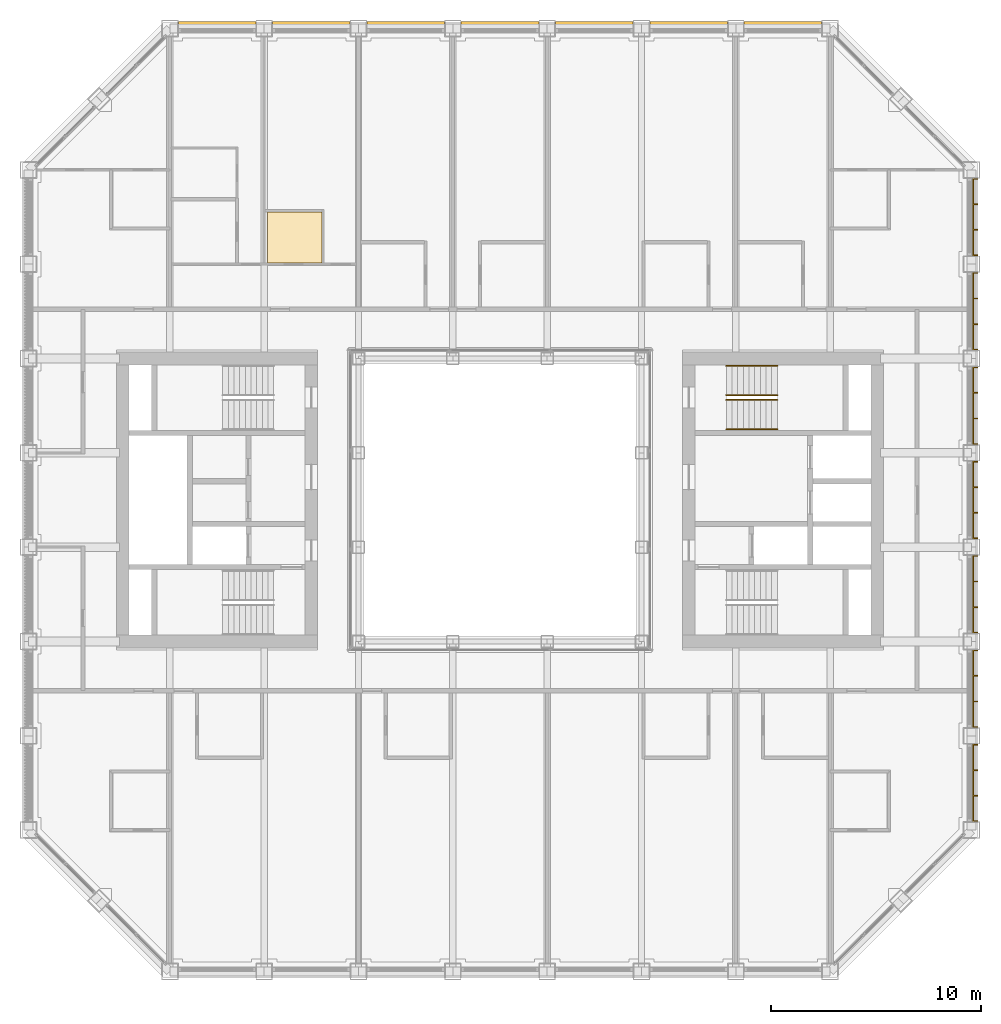
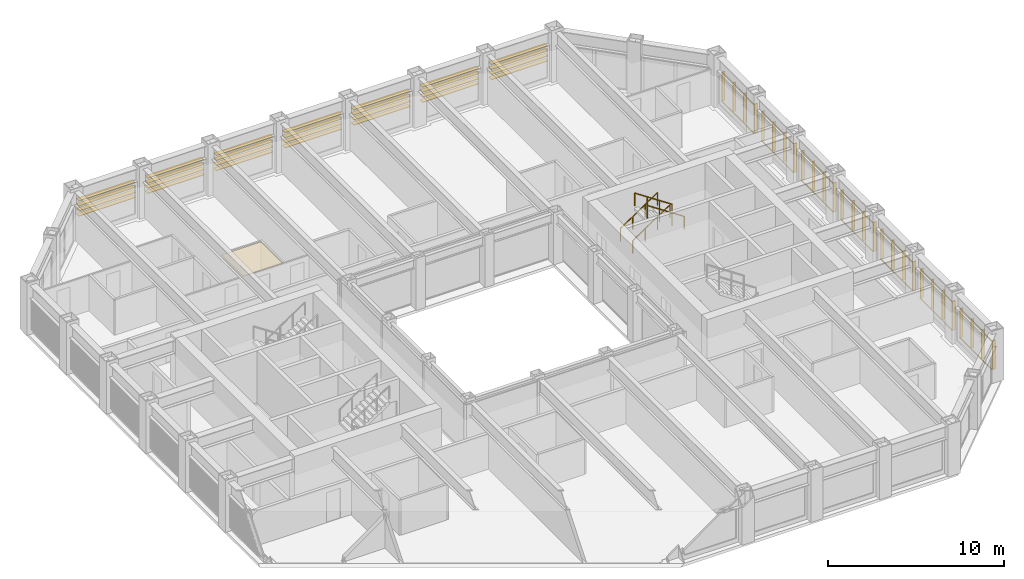
# One storey, part 17 of 17: 4 railings, 2 shading devices, 1 covering.
"""IFC4 building model written with IfcOpenShell, lengths in metres."""

from ifc_helpers import new_model, si_unit, direction, frame, origin, origin_2d, place, context, subcontext, project, spatial, line, indexed_curve, rectangle, circle, outline, extrude, material, layer, layer_set, type_object, element, save


model = new_model("IFC4")

# Units and contexts
model_context = context("Model", 3, precision=1e-05, world=origin(), true_north=direction((0.0, 1.0)))
body_context = subcontext(model_context, "Body", "Model", "MODEL_VIEW")
ifc_project = project(units=[si_unit("LENGTHUNIT", "METRE"), si_unit("AREAUNIT", "SQUARE_METRE"), si_unit("VOLUMEUNIT", "CUBIC_METRE"), si_unit("PLANEANGLEUNIT", "RADIAN"), si_unit("MASSUNIT", "GRAM", prefix="KILO")], contexts=[model_context])

# Site, building, storey
site_placement = place(None, origin())
site = spatial("IfcSite", under=ifc_project, at=site_placement, CompositionType="ELEMENT")
building_placement = place(site_placement, origin())
building = spatial("IfcBuilding", under=site, at=building_placement, Name="Msasa Ring Tower", CompositionType="ELEMENT")
storey_placement = place(building_placement, frame((0.0, 0.0, 172.39990234375)))
storey = spatial("IfcBuildingStorey", under=building, at=storey_placement, Name="L45", CompositionType="ELEMENT", Elevation=172.39990234375)

# Shading device
ifc_material_1 = material(Name="Extruded terracotta on aluminium carriers", Category="masonry")
shading_device_type_1 = type_object("IfcShadingDeviceType", Name="BS2 TERRACOTTA FIN SCREEN 40x200 AT 1350", PredefinedType="USERDEFINED", material=ifc_material_1)
shading_device_1_placement = place(storey_placement, origin())
element("IfcShadingDevice", 1, at=shading_device_1_placement, inside=storey, type_object=shading_device_type_1, Name="Terracotta fin screen E L45", ObjectType="BAGUETTE", PredefinedType="USERDEFINED", context=body_context, shape_type="SweptSolid", body=[
    extrude(rectangle(XDim=0.06005859375, YDim=0.0400390625, at=origin_2d()), frame((22.580078125, -15.35009765625, 0.330078125), z_axis=(0.0, 1.0, 0.0), x_axis=(0.0, 0.0, 1.0)), (0.0, 0.0, 1.0), 3.699951171875),
    extrude(rectangle(XDim=0.06005859375, YDim=0.0400390625, at=origin_2d()), frame((22.580078125, -15.35009765625, 2.299072265625), z_axis=(0.0, 1.0, 0.0), x_axis=(0.0, 0.0, 1.0)), (0.0, 0.0, 1.0), 3.699951171875),
    extrude(rectangle(XDim=0.0400390625, YDim=0.199951171875, at=origin_2d()), frame((22.695068359375, -15.330078125, 0.300048828125), z_axis=(0.0, 0.0, 1.0), x_axis=(0.0, 1.0, 0.0)), (0.0, 0.0, 1.0), 2.029052734375),
    extrude(rectangle(XDim=0.0400390625, YDim=0.199951171875, at=origin_2d()), frame((22.695068359375, -14.110107421875, 0.300048828125), z_axis=(0.0, 0.0, 1.0), x_axis=(0.0, 1.0, 0.0)), (0.0, 0.0, 1.0), 2.029052734375),
    extrude(rectangle(XDim=0.0400390625, YDim=0.199951171875, at=origin_2d()), frame((22.695068359375, -12.889892578125, 0.300048828125), z_axis=(0.0, 0.0, 1.0), x_axis=(0.0, 1.0, 0.0)), (0.0, 0.0, 1.0), 2.029052734375),
    extrude(rectangle(XDim=0.0400390625, YDim=0.199951171875, at=origin_2d()), frame((22.695068359375, -11.669921875, 0.300048828125), z_axis=(0.0, 0.0, 1.0), x_axis=(0.0, 1.0, 0.0)), (0.0, 0.0, 1.0), 2.029052734375),
    extrude(rectangle(XDim=0.06005859375, YDim=0.0400390625, at=origin_2d()), frame((22.580078125, -10.85009765625, 0.330078125), z_axis=(0.0, 1.0, 0.0), x_axis=(0.0, 0.0, 1.0)), (0.0, 0.0, 1.0), 3.699951171875),
    extrude(rectangle(XDim=0.06005859375, YDim=0.0400390625, at=origin_2d()), frame((22.580078125, -10.85009765625, 2.299072265625), z_axis=(0.0, 1.0, 0.0), x_axis=(0.0, 0.0, 1.0)), (0.0, 0.0, 1.0), 3.699951171875),
    extrude(rectangle(XDim=0.0400390625, YDim=0.199951171875, at=origin_2d()), frame((22.695068359375, -10.830078125, 0.300048828125), z_axis=(0.0, 0.0, 1.0), x_axis=(0.0, 1.0, 0.0)), (0.0, 0.0, 1.0), 2.029052734375),
    extrude(rectangle(XDim=0.0400390625, YDim=0.199951171875, at=origin_2d()), frame((22.695068359375, -9.610107421875, 0.300048828125), z_axis=(0.0, 0.0, 1.0), x_axis=(0.0, 1.0, 0.0)), (0.0, 0.0, 1.0), 2.029052734375),
    extrude(rectangle(XDim=0.0400390625, YDim=0.199951171875, at=origin_2d()), frame((22.695068359375, -8.389892578125, 0.300048828125), z_axis=(0.0, 0.0, 1.0), x_axis=(0.0, 1.0, 0.0)), (0.0, 0.0, 1.0), 2.029052734375),
    extrude(rectangle(XDim=0.0400390625, YDim=0.199951171875, at=origin_2d()), frame((22.695068359375, -7.169921875, 0.300048828125), z_axis=(0.0, 0.0, 1.0), x_axis=(0.0, 1.0, 0.0)), (0.0, 0.0, 1.0), 2.029052734375),
    extrude(rectangle(XDim=0.06005859375, YDim=0.0400390625, at=origin_2d()), frame((22.580078125, -6.35009765625, 0.330078125), z_axis=(0.0, 1.0, 0.0), x_axis=(0.0, 0.0, 1.0)), (0.0, 0.0, 1.0), 3.699951171875),
    extrude(rectangle(XDim=0.06005859375, YDim=0.0400390625, at=origin_2d()), frame((22.580078125, -6.35009765625, 2.299072265625), z_axis=(0.0, 1.0, 0.0), x_axis=(0.0, 0.0, 1.0)), (0.0, 0.0, 1.0), 3.699951171875),
    extrude(rectangle(XDim=0.0400390625, YDim=0.199951171875, at=origin_2d()), frame((22.695068359375, -6.330078125, 0.300048828125), z_axis=(0.0, 0.0, 1.0), x_axis=(0.0, 1.0, 0.0)), (0.0, 0.0, 1.0), 2.029052734375),
    extrude(rectangle(XDim=0.0400390625, YDim=0.199951171875, at=origin_2d()), frame((22.695068359375, -5.110107421875, 0.300048828125), z_axis=(0.0, 0.0, 1.0), x_axis=(0.0, 1.0, 0.0)), (0.0, 0.0, 1.0), 2.029052734375),
    extrude(rectangle(XDim=0.0400390625, YDim=0.199951171875, at=origin_2d()), frame((22.695068359375, -3.889892578125, 0.300048828125), z_axis=(0.0, 0.0, 1.0), x_axis=(0.0, 1.0, 0.0)), (0.0, 0.0, 1.0), 2.029052734375),
    extrude(rectangle(XDim=0.0400390625, YDim=0.199951171875, at=origin_2d()), frame((22.695068359375, -2.669921875, 0.300048828125), z_axis=(0.0, 0.0, 1.0), x_axis=(0.0, 1.0, 0.0)), (0.0, 0.0, 1.0), 2.029052734375),
    extrude(rectangle(XDim=0.06005859375, YDim=0.0400390625, at=origin_2d()), frame((22.580078125, -1.85009765625, 0.330078125), z_axis=(0.0, 1.0, 0.0), x_axis=(0.0, 0.0, 1.0)), (0.0, 0.0, 1.0), 3.699951171875),
    extrude(rectangle(XDim=0.06005859375, YDim=0.0400390625, at=origin_2d()), frame((22.580078125, -1.85009765625, 2.299072265625), z_axis=(0.0, 1.0, 0.0), x_axis=(0.0, 0.0, 1.0)), (0.0, 0.0, 1.0), 3.699951171875),
    extrude(rectangle(XDim=0.0400390625, YDim=0.199951171875, at=origin_2d()), frame((22.695068359375, -1.830078125, 0.300048828125), z_axis=(0.0, 0.0, 1.0), x_axis=(0.0, 1.0, 0.0)), (0.0, 0.0, 1.0), 2.029052734375),
    extrude(rectangle(XDim=0.0400390625, YDim=0.199951171875, at=origin_2d()), frame((22.695068359375, -0.610107421875, 0.300048828125), z_axis=(0.0, 0.0, 1.0), x_axis=(0.0, 1.0, 0.0)), (0.0, 0.0, 1.0), 2.029052734375),
    extrude(rectangle(XDim=0.0400390625, YDim=0.199951171875, at=origin_2d()), frame((22.695068359375, 0.610107421875, 0.300048828125), z_axis=(0.0, 0.0, 1.0), x_axis=(0.0, 1.0, 0.0)), (0.0, 0.0, 1.0), 2.029052734375),
    extrude(rectangle(XDim=0.0400390625, YDim=0.199951171875, at=origin_2d()), frame((22.695068359375, 1.830078125, 0.300048828125), z_axis=(0.0, 0.0, 1.0), x_axis=(0.0, 1.0, 0.0)), (0.0, 0.0, 1.0), 2.029052734375),
    extrude(rectangle(XDim=0.06005859375, YDim=0.0400390625, at=origin_2d()), frame((22.580078125, 2.64990234375, 0.330078125), z_axis=(0.0, 1.0, 0.0), x_axis=(0.0, 0.0, 1.0)), (0.0, 0.0, 1.0), 3.699951171875),
    extrude(rectangle(XDim=0.06005859375, YDim=0.0400390625, at=origin_2d()), frame((22.580078125, 2.64990234375, 2.299072265625), z_axis=(0.0, 1.0, 0.0), x_axis=(0.0, 0.0, 1.0)), (0.0, 0.0, 1.0), 3.699951171875),
    extrude(rectangle(XDim=0.0400390625, YDim=0.199951171875, at=origin_2d()), frame((22.695068359375, 2.669921875, 0.300048828125), z_axis=(0.0, 0.0, 1.0), x_axis=(0.0, 1.0, 0.0)), (0.0, 0.0, 1.0), 2.029052734375),
    extrude(rectangle(XDim=0.0400390625, YDim=0.199951171875, at=origin_2d()), frame((22.695068359375, 3.889892578125, 0.300048828125), z_axis=(0.0, 0.0, 1.0), x_axis=(0.0, 1.0, 0.0)), (0.0, 0.0, 1.0), 2.029052734375),
    extrude(rectangle(XDim=0.0400390625, YDim=0.199951171875, at=origin_2d()), frame((22.695068359375, 5.110107421875, 0.300048828125), z_axis=(0.0, 0.0, 1.0), x_axis=(0.0, 1.0, 0.0)), (0.0, 0.0, 1.0), 2.029052734375),
    extrude(rectangle(XDim=0.0400390625, YDim=0.199951171875, at=origin_2d()), frame((22.695068359375, 6.330078125, 0.300048828125), z_axis=(0.0, 0.0, 1.0), x_axis=(0.0, 1.0, 0.0)), (0.0, 0.0, 1.0), 2.029052734375),
    extrude(rectangle(XDim=0.06005859375, YDim=0.0400390625, at=origin_2d()), frame((22.580078125, 7.14990234375, 0.330078125), z_axis=(0.0, 1.0, 0.0), x_axis=(0.0, 0.0, 1.0)), (0.0, 0.0, 1.0), 3.699951171875),
    extrude(rectangle(XDim=0.06005859375, YDim=0.0400390625, at=origin_2d()), frame((22.580078125, 7.14990234375, 2.299072265625), z_axis=(0.0, 1.0, 0.0), x_axis=(0.0, 0.0, 1.0)), (0.0, 0.0, 1.0), 3.699951171875),
    extrude(rectangle(XDim=0.0400390625, YDim=0.199951171875, at=origin_2d()), frame((22.695068359375, 7.169921875, 0.300048828125), z_axis=(0.0, 0.0, 1.0), x_axis=(0.0, 1.0, 0.0)), (0.0, 0.0, 1.0), 2.029052734375),
    extrude(rectangle(XDim=0.0400390625, YDim=0.199951171875, at=origin_2d()), frame((22.695068359375, 8.389892578125, 0.300048828125), z_axis=(0.0, 0.0, 1.0), x_axis=(0.0, 1.0, 0.0)), (0.0, 0.0, 1.0), 2.029052734375),
    extrude(rectangle(XDim=0.0400390625, YDim=0.199951171875, at=origin_2d()), frame((22.695068359375, 9.610107421875, 0.300048828125), z_axis=(0.0, 0.0, 1.0), x_axis=(0.0, 1.0, 0.0)), (0.0, 0.0, 1.0), 2.029052734375),
    extrude(rectangle(XDim=0.0400390625, YDim=0.199951171875, at=origin_2d()), frame((22.695068359375, 10.830078125, 0.300048828125), z_axis=(0.0, 0.0, 1.0), x_axis=(0.0, 1.0, 0.0)), (0.0, 0.0, 1.0), 2.029052734375),
    extrude(rectangle(XDim=0.06005859375, YDim=0.0400390625, at=origin_2d()), frame((22.580078125, 11.64990234375, 0.330078125), z_axis=(0.0, 1.0, 0.0), x_axis=(0.0, 0.0, 1.0)), (0.0, 0.0, 1.0), 3.699951171875),
    extrude(rectangle(XDim=0.06005859375, YDim=0.0400390625, at=origin_2d()), frame((22.580078125, 11.64990234375, 2.299072265625), z_axis=(0.0, 1.0, 0.0), x_axis=(0.0, 0.0, 1.0)), (0.0, 0.0, 1.0), 3.699951171875),
    extrude(rectangle(XDim=0.0400390625, YDim=0.199951171875, at=origin_2d()), frame((22.695068359375, 11.669921875, 0.300048828125), z_axis=(0.0, 0.0, 1.0), x_axis=(0.0, 1.0, 0.0)), (0.0, 0.0, 1.0), 2.029052734375),
    extrude(rectangle(XDim=0.0400390625, YDim=0.199951171875, at=origin_2d()), frame((22.695068359375, 12.889892578125, 0.300048828125), z_axis=(0.0, 0.0, 1.0), x_axis=(0.0, 1.0, 0.0)), (0.0, 0.0, 1.0), 2.029052734375),
    extrude(rectangle(XDim=0.0400390625, YDim=0.199951171875, at=origin_2d()), frame((22.695068359375, 14.110107421875, 0.300048828125), z_axis=(0.0, 0.0, 1.0), x_axis=(0.0, 1.0, 0.0)), (0.0, 0.0, 1.0), 2.029052734375),
    extrude(rectangle(XDim=0.0400390625, YDim=0.199951171875, at=origin_2d()), frame((22.695068359375, 15.330078125, 0.300048828125), z_axis=(0.0, 0.0, 1.0), x_axis=(0.0, 1.0, 0.0)), (0.0, 0.0, 1.0), 2.029052734375),
])

# Covering
ifc_material_2 = material(Name="Perforated aluminium ceiling pans on a steel grid", Category="steel")
ifc_layer = layer(ifc_material_2, 0.02490234375)
ifc_layer_set = layer_set([ifc_layer], Name="C4 PERFORATED METAL PAN CEILING 25")
covering_type = type_object("IfcCoveringType", Name="C4 PERFORATED METAL PAN CEILING 25", PredefinedType="CEILING", material=ifc_layer_set)
covering_placement = place(storey_placement, frame((0.0, 0.0, 2.400146484375)))
element("IfcCovering", 2, at=covering_placement, inside=storey, type_object=covering_type, Name="Perforated Metal Pan Ceiling 25 L45", PredefinedType="CEILING", context=body_context, shape_type="SweptSolid", body=[
    extrude(outline(indexed_curve([(-8.50048828125, 13.74951171875), (-8.50048828125, 11.300537109375), (-11.095703125, 11.300537109375), (-11.095703125, 13.74951171875)], segments=[line(1, 2, 3, 4, 1)], self_intersect=False)), origin(), (0.0, 0.0, 1.0), 0.02490234375),
])

# Railings
ifc_material_3 = material(Name="Stainless steel", Category="steel")
railing_type = type_object("IfcRailingType", Name="HR1 HANDRAIL 900", PredefinedType="HANDRAIL", material=ifc_material_3)
for number, where, name in (
    (3, (10.800048828125, 5.0, 0.18017578125), "Handrail stair SEB L45 1"),
    (4, (10.800048828125, 6.39990234375, 0.18017578125), "Handrail stair SEB L45 2"),
):
    element("IfcRailing", number, at=place(storey_placement, frame(where)), inside=storey, type_object=railing_type, Name=name, PredefinedType="HANDRAIL", context=body_context, shape_type="SweptSolid", body=[
        extrude(circle(Radius=0.02392578125, at=origin_2d()), frame((0.0, 0.0, 0.8759765625), z_axis=(0.832063155534, 0.0, 0.554680903946), x_axis=(0.0, 1.0, 0.0)), (0.0, 0.0, 1.0), 2.92041015625),
        extrude(circle(Radius=0.02099609375, at=origin_2d()), origin(), (0.0, 0.0, 1.0), 0.851806640625),
        extrude(circle(Radius=0.02099609375, at=origin_2d()), frame((0.81005859375, 0.0, 0.5400390625)), (0.0, 0.0, 1.0), 0.851806640625),
        extrude(circle(Radius=0.02099609375, at=origin_2d()), frame((1.619873046875, 0.0, 1.079833984375)), (0.0, 0.0, 1.0), 0.851806640625),
        extrude(circle(Radius=0.02099609375, at=origin_2d()), frame((2.429931640625, 0.0, 1.619873046875)), (0.0, 0.0, 1.0), 0.851806640625),
    ])
for number, where, name in (
    (5, (13.22998046875, 3.375, 1.97998046875), "Handrail stair SEB L45 3"),
    (6, (13.22998046875, 4.77490234375, 1.97998046875), "Handrail stair SEB L45 4"),
):
    element("IfcRailing", number, at=place(storey_placement, frame(where)), inside=storey, type_object=railing_type, Name=name, PredefinedType="HANDRAIL", context=body_context, shape_type="SweptSolid", body=[
        extrude(circle(Radius=0.02392578125, at=origin_2d()), frame((0.0, 0.0, 0.8759765625), z_axis=(-0.832024571796, 0.0, 0.554738778101), x_axis=(0.0, -1.0, 0.0)), (0.0, 0.0, 1.0), 2.92041015625),
        extrude(circle(Radius=0.02099609375, at=origin_2d()), origin(), (0.0, 0.0, 1.0), 0.851806640625),
        extrude(circle(Radius=0.02099609375, at=origin_2d()), frame((-0.81005859375, 0.0, 0.5400390625)), (0.0, 0.0, 1.0), 0.851806640625),
        extrude(circle(Radius=0.02099609375, at=origin_2d()), frame((-1.619873046875, 0.0, 1.080078125)), (0.0, 0.0, 1.0), 0.851806640625),
        extrude(circle(Radius=0.02099609375, at=origin_2d()), frame((-2.429931640625, 0.0, 1.6201171875)), (0.0, 0.0, 1.0), 0.851806640625),
    ])

# Shading device
ifc_material_4 = material(Name="Extruded terracotta blades", Category="masonry")
shading_device_type_2 = type_object("IfcShadingDeviceType", Name="SS1 TERRACOTTA SUNSHADE 4 BLADES 300x40 AT 350", PredefinedType="USERDEFINED", material=ifc_material_4)
shading_device_2_placement = place(storey_placement, origin())
element("IfcShadingDevice", 7, at=shading_device_2_placement, inside=storey, type_object=shading_device_type_2, Name="Terracotta sunshade N L45", ObjectType="SUNSHADE", PredefinedType="USERDEFINED", context=body_context, shape_type="SweptSolid", body=[
    extrude(rectangle(XDim=0.0400390625, YDim=0.300048828125, at=origin_2d()), frame((-15.35009765625, 22.679931640625, 2.30908203125), z_axis=(1.0, 0.0, 0.0), x_axis=(0.0, 0.0, 1.0)), (0.0, 0.0, 1.0), 3.699951171875),
    extrude(rectangle(XDim=0.0400390625, YDim=0.300048828125, at=origin_2d()), frame((-15.35009765625, 22.679931640625, 1.958984375), z_axis=(1.0, 0.0, 0.0), x_axis=(0.0, 0.0, 1.0)), (0.0, 0.0, 1.0), 3.699951171875),
    extrude(rectangle(XDim=0.0400390625, YDim=0.300048828125, at=origin_2d()), frame((-15.35009765625, 22.679931640625, 1.609130859375), z_axis=(1.0, 0.0, 0.0), x_axis=(0.0, 0.0, 1.0)), (0.0, 0.0, 1.0), 3.699951171875),
    extrude(rectangle(XDim=0.0400390625, YDim=0.300048828125, at=origin_2d()), frame((-15.35009765625, 22.679931640625, 1.259033203125), z_axis=(1.0, 0.0, 0.0), x_axis=(0.0, 0.0, 1.0)), (0.0, 0.0, 1.0), 3.699951171875),
    extrude(rectangle(XDim=0.0400390625, YDim=0.300048828125, at=origin_2d()), frame((-10.85009765625, 22.679931640625, 2.30908203125), z_axis=(1.0, 0.0, 0.0), x_axis=(0.0, 0.0, 1.0)), (0.0, 0.0, 1.0), 3.699951171875),
    extrude(rectangle(XDim=0.0400390625, YDim=0.300048828125, at=origin_2d()), frame((-10.85009765625, 22.679931640625, 1.958984375), z_axis=(1.0, 0.0, 0.0), x_axis=(0.0, 0.0, 1.0)), (0.0, 0.0, 1.0), 3.699951171875),
    extrude(rectangle(XDim=0.0400390625, YDim=0.300048828125, at=origin_2d()), frame((-10.85009765625, 22.679931640625, 1.609130859375), z_axis=(1.0, 0.0, 0.0), x_axis=(0.0, 0.0, 1.0)), (0.0, 0.0, 1.0), 3.699951171875),
    extrude(rectangle(XDim=0.0400390625, YDim=0.300048828125, at=origin_2d()), frame((-10.85009765625, 22.679931640625, 1.259033203125), z_axis=(1.0, 0.0, 0.0), x_axis=(0.0, 0.0, 1.0)), (0.0, 0.0, 1.0), 3.699951171875),
    extrude(rectangle(XDim=0.0400390625, YDim=0.300048828125, at=origin_2d()), frame((-6.35009765625, 22.679931640625, 2.30908203125), z_axis=(1.0, 0.0, 0.0), x_axis=(0.0, 0.0, 1.0)), (0.0, 0.0, 1.0), 3.699951171875),
    extrude(rectangle(XDim=0.0400390625, YDim=0.300048828125, at=origin_2d()), frame((-6.35009765625, 22.679931640625, 1.958984375), z_axis=(1.0, 0.0, 0.0), x_axis=(0.0, 0.0, 1.0)), (0.0, 0.0, 1.0), 3.699951171875),
    extrude(rectangle(XDim=0.0400390625, YDim=0.300048828125, at=origin_2d()), frame((-6.35009765625, 22.679931640625, 1.609130859375), z_axis=(1.0, 0.0, 0.0), x_axis=(0.0, 0.0, 1.0)), (0.0, 0.0, 1.0), 3.699951171875),
    extrude(rectangle(XDim=0.0400390625, YDim=0.300048828125, at=origin_2d()), frame((-6.35009765625, 22.679931640625, 1.259033203125), z_axis=(1.0, 0.0, 0.0), x_axis=(0.0, 0.0, 1.0)), (0.0, 0.0, 1.0), 3.699951171875),
    extrude(rectangle(XDim=0.0400390625, YDim=0.300048828125, at=origin_2d()), frame((-1.85009765625, 22.679931640625, 2.30908203125), z_axis=(1.0, 0.0, 0.0), x_axis=(0.0, 0.0, 1.0)), (0.0, 0.0, 1.0), 3.699951171875),
    extrude(rectangle(XDim=0.0400390625, YDim=0.300048828125, at=origin_2d()), frame((-1.85009765625, 22.679931640625, 1.958984375), z_axis=(1.0, 0.0, 0.0), x_axis=(0.0, 0.0, 1.0)), (0.0, 0.0, 1.0), 3.699951171875),
    extrude(rectangle(XDim=0.0400390625, YDim=0.300048828125, at=origin_2d()), frame((-1.85009765625, 22.679931640625, 1.609130859375), z_axis=(1.0, 0.0, 0.0), x_axis=(0.0, 0.0, 1.0)), (0.0, 0.0, 1.0), 3.699951171875),
    extrude(rectangle(XDim=0.0400390625, YDim=0.300048828125, at=origin_2d()), frame((-1.85009765625, 22.679931640625, 1.259033203125), z_axis=(1.0, 0.0, 0.0), x_axis=(0.0, 0.0, 1.0)), (0.0, 0.0, 1.0), 3.699951171875),
    extrude(rectangle(XDim=0.0400390625, YDim=0.300048828125, at=origin_2d()), frame((2.64990234375, 22.679931640625, 2.30908203125), z_axis=(1.0, 0.0, 0.0), x_axis=(0.0, 0.0, 1.0)), (0.0, 0.0, 1.0), 3.699951171875),
    extrude(rectangle(XDim=0.0400390625, YDim=0.300048828125, at=origin_2d()), frame((2.64990234375, 22.679931640625, 1.958984375), z_axis=(1.0, 0.0, 0.0), x_axis=(0.0, 0.0, 1.0)), (0.0, 0.0, 1.0), 3.699951171875),
    extrude(rectangle(XDim=0.0400390625, YDim=0.300048828125, at=origin_2d()), frame((2.64990234375, 22.679931640625, 1.609130859375), z_axis=(1.0, 0.0, 0.0), x_axis=(0.0, 0.0, 1.0)), (0.0, 0.0, 1.0), 3.699951171875),
    extrude(rectangle(XDim=0.0400390625, YDim=0.300048828125, at=origin_2d()), frame((2.64990234375, 22.679931640625, 1.259033203125), z_axis=(1.0, 0.0, 0.0), x_axis=(0.0, 0.0, 1.0)), (0.0, 0.0, 1.0), 3.699951171875),
    extrude(rectangle(XDim=0.0400390625, YDim=0.300048828125, at=origin_2d()), frame((7.14990234375, 22.679931640625, 2.30908203125), z_axis=(1.0, 0.0, 0.0), x_axis=(0.0, 0.0, 1.0)), (0.0, 0.0, 1.0), 3.699951171875),
    extrude(rectangle(XDim=0.0400390625, YDim=0.300048828125, at=origin_2d()), frame((7.14990234375, 22.679931640625, 1.958984375), z_axis=(1.0, 0.0, 0.0), x_axis=(0.0, 0.0, 1.0)), (0.0, 0.0, 1.0), 3.699951171875),
    extrude(rectangle(XDim=0.0400390625, YDim=0.300048828125, at=origin_2d()), frame((7.14990234375, 22.679931640625, 1.609130859375), z_axis=(1.0, 0.0, 0.0), x_axis=(0.0, 0.0, 1.0)), (0.0, 0.0, 1.0), 3.699951171875),
    extrude(rectangle(XDim=0.0400390625, YDim=0.300048828125, at=origin_2d()), frame((7.14990234375, 22.679931640625, 1.259033203125), z_axis=(1.0, 0.0, 0.0), x_axis=(0.0, 0.0, 1.0)), (0.0, 0.0, 1.0), 3.699951171875),
    extrude(rectangle(XDim=0.0400390625, YDim=0.300048828125, at=origin_2d()), frame((11.64990234375, 22.679931640625, 2.30908203125), z_axis=(1.0, 0.0, 0.0), x_axis=(0.0, 0.0, 1.0)), (0.0, 0.0, 1.0), 3.699951171875),
    extrude(rectangle(XDim=0.0400390625, YDim=0.300048828125, at=origin_2d()), frame((11.64990234375, 22.679931640625, 1.958984375), z_axis=(1.0, 0.0, 0.0), x_axis=(0.0, 0.0, 1.0)), (0.0, 0.0, 1.0), 3.699951171875),
    extrude(rectangle(XDim=0.0400390625, YDim=0.300048828125, at=origin_2d()), frame((11.64990234375, 22.679931640625, 1.609130859375), z_axis=(1.0, 0.0, 0.0), x_axis=(0.0, 0.0, 1.0)), (0.0, 0.0, 1.0), 3.699951171875),
    extrude(rectangle(XDim=0.0400390625, YDim=0.300048828125, at=origin_2d()), frame((11.64990234375, 22.679931640625, 1.259033203125), z_axis=(1.0, 0.0, 0.0), x_axis=(0.0, 0.0, 1.0)), (0.0, 0.0, 1.0), 3.699951171875),
])

save(model, "model.ifc")
